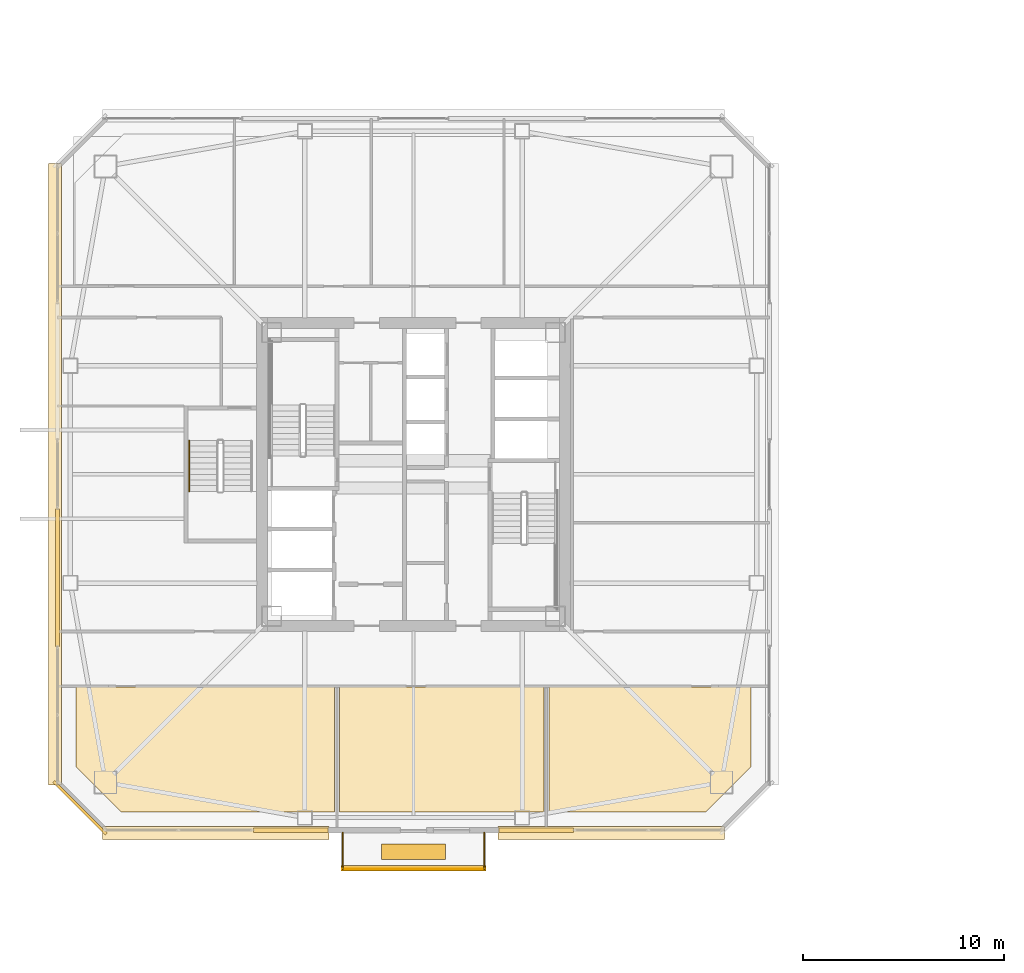
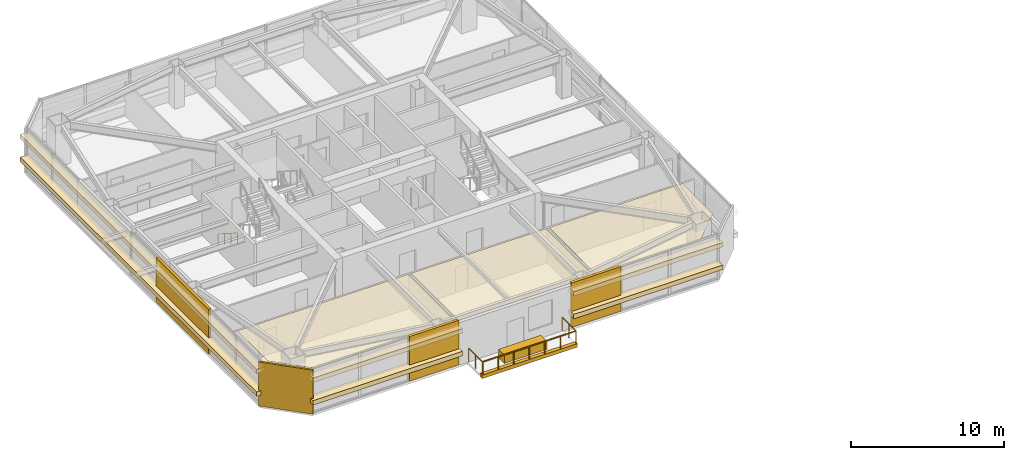
# One storey, part 39 of 44: 15 coverings, 4 railings.
"""IFC4 building model written with IfcOpenShell, lengths in metres."""

from ifc_helpers import new_model, si_unit, direction, frame, origin, origin_2d, place, context, subcontext, project, spatial, polyline, rectangle, outline, extrude, material, layer, layer_set, type_object, element, save


model = new_model("IFC4")

# Units and contexts
model_context = context("Model", 3, precision=1e-05, world=origin(), true_north=direction((0.0, 1.0)))
body_context = subcontext(model_context, "Body", "Model", "MODEL_VIEW")
ifc_project = project(units=[si_unit("LENGTHUNIT", "METRE"), si_unit("AREAUNIT", "SQUARE_METRE"), si_unit("VOLUMEUNIT", "CUBIC_METRE"), si_unit("PLANEANGLEUNIT", "RADIAN"), si_unit("MASSUNIT", "GRAM", prefix="KILO")], contexts=[model_context])

# Site, building, storey
site_placement = place(None, origin())
site = spatial("IfcSite", under=ifc_project, at=site_placement, CompositionType="ELEMENT")
building_placement = place(site_placement, origin())
building = spatial("IfcBuilding", under=site, at=building_placement, Name="Tashvorn Skyway Center", CompositionType="ELEMENT")
storey_placement = place(building_placement, frame((0.0, 0.0, 181.85009765625)))
storey = spatial("IfcBuildingStorey", under=building, at=storey_placement, Name="L49", CompositionType="ELEMENT", Elevation=181.85009765625)

# Coverings
ifc_material_1 = material(Name="Precast concrete C40/50", Category="concrete")
ifc_layer_1 = layer(ifc_material_1, 0.199951171875)
ifc_layer_set_1 = layer_set([ifc_layer_1], Name="Precast concrete C40/50")
covering_type_1 = type_object("IfcCoveringType", Name="COV-BRACE-CLAD", PredefinedType="CLADDING", material=ifc_layer_set_1)
for number, where, z_axis, x_axis, name in (
    (1, (48.10498046875, 14.320068359375, 0.0), (0.0, 0.0, 1.0), (-1.0, 0.0, 0.0), "Tower 1 L49 South Curtain Wall L Mega-Brace Cladding Band 1"),
    (2, (35.89501953125, 14.320068359375, 0.0), (0.0, 0.0, 1.0), (-1.0, 0.0, 0.0), "Tower 1 L49 South Curtain Wall R Mega-Brace Cladding Band 1"),
):
    element("IfcCovering", number, at=place(storey_placement, frame(where, z_axis=z_axis, x_axis=x_axis)), inside=storey, type_object=covering_type_1, Name=name, PredefinedType="CLADDING", context=body_context, shape_type="SweptSolid", body=[
        extrude(rectangle(XDim=3.7099609375, YDim=0.199951171875, at=origin_2d()), origin(), (0.0, 0.0, 1.0), 3.550048828125),
    ])
covering_1_placement = place(storey_placement, frame((24.320068359375, 26.873291015625, 0.0), z_axis=(0.0, 0.0, 1.0), x_axis=(0.0, 1.0, 0.0)))
element("IfcCovering", 3, at=covering_1_placement, inside=storey, type_object=covering_type_1, Name="Tower 1 L49 West Unitised Curtain Wall Mega-Brace Cladding Band 1", PredefinedType="CLADDING", context=body_context, shape_type="SweptSolid", body=[
    extrude(rectangle(XDim=6.83544921875, YDim=0.199951171875, at=origin_2d()), origin(), (0.0, 0.0, 1.0), 3.550048828125),
])
ifc_material_2 = material(Name="Mineral-fibre acoustic ceiling tile on suspended grid")
ifc_layer_2 = layer(ifc_material_2, 0.02001953125)
ifc_layer_set_2 = layer_set([ifc_layer_2], Name="Mineral-fibre acoustic ceiling tile on suspended grid")
covering_type_2 = type_object("IfcCoveringType", Name="COV-CEIL-20", PredefinedType="CEILING", material=ifc_layer_set_2)
covering_2_placement = place(storey_placement, frame((0.0, 0.0, 2.702880859375)))
element("IfcCovering", 4, at=covering_2_placement, inside=storey, type_object=covering_type_2, Name="Tower 1 L49 Conference Room Acoustic Ceiling", PredefinedType="CEILING", context=body_context, shape_type="SweptSolid", body=[
    extrude(outline(polyline([(25.219970703125, 21.43994140625), (38.080078125, 21.43994140625), (38.080078125, 15.219970703125), (27.47998046875, 15.219970703125), (25.219970703125, 17.47998046875), (25.219970703125, 21.43994140625)])), origin(), (0.0, 0.0, 1.0), 0.02001953125),
])
covering_3_placement = place(storey_placement, frame((0.0, 0.0, 2.702880859375)))
element("IfcCovering", 5, at=covering_3_placement, inside=storey, type_object=covering_type_2, Name="Tower 1 L49 Design Studio Acoustic Ceiling", PredefinedType="CEILING", context=body_context, shape_type="SweptSolid", body=[
    extrude(outline(polyline([(38.320068359375, 21.43994140625), (48.47998046875, 21.43994140625), (48.47998046875, 15.219970703125), (38.320068359375, 15.219970703125), (38.320068359375, 21.43994140625)])), origin(), (0.0, 0.0, 1.0), 0.02001953125),
])
covering_4_placement = place(storey_placement, frame((0.0, 0.0, 2.702880859375)))
element("IfcCovering", 6, at=covering_4_placement, inside=storey, type_object=covering_type_2, Name="Tower 1 L49 Design Studio Acoustic Ceiling", PredefinedType="CEILING", context=body_context, shape_type="SweptSolid", body=[
    extrude(outline(polyline([(48.719970703125, 15.219970703125), (48.719970703125, 21.43994140625), (58.780029296875, 21.43994140625), (58.780029296875, 17.47998046875), (56.52001953125, 15.219970703125), (48.719970703125, 15.219970703125)])), origin(), (0.0, 0.0, 1.0), 0.02001953125),
])
ifc_material_3 = material(Name="Perforated ceramic-coated bronze aluminium solar screen", Category="aluminium")
ifc_layer_3 = layer(ifc_material_3, 0.85009765625)
ifc_layer_set_3 = layer_set([ifc_layer_3], Name="Perforated ceramic-coated bronze aluminium solar screen")
covering_type_3 = type_object("IfcCoveringType", Name="COV-SOLAR-BAND", PredefinedType="CLADDING", material=ifc_layer_set_3)
for number, where, z_axis, x_axis, name in (
    (7, (51.81494140625, 14.179931640625, 0.919921875), (0.0, 0.0, 1.0), (-1.0, 0.0, 0.0), "L49 Perforated Ceramic-Metal Solar Screen Louvre Band South 1"),
    (8, (51.81494140625, 14.179931640625, 2.7197265625), (0.0, 0.0, 1.0), (-1.0, 0.0, 0.0), "L49 Perforated Ceramic-Metal Solar Screen Louvre Band South 2"),
    (9, (32.18505859375, 14.179931640625, 0.919921875), (0.0, 0.0, 1.0), (-1.0, 0.0, 0.0), "L49 Perforated Ceramic-Metal Solar Screen Louvre Band South 1"),
    (10, (32.18505859375, 14.179931640625, 2.7197265625), (0.0, 0.0, 1.0), (-1.0, 0.0, 0.0), "L49 Perforated Ceramic-Metal Solar Screen Louvre Band South 2"),
):
    element("IfcCovering", number, at=place(storey_placement, frame(where, z_axis=z_axis, x_axis=x_axis)), inside=storey, type_object=covering_type_3, Name=name, PredefinedType="CLADDING", context=body_context, shape_type="SweptSolid", body=[
        extrude(rectangle(XDim=11.25, YDim=0.639892578125, at=origin_2d()), origin(), (0.0, 0.0, 1.0), 0.360107421875),
    ])
for number, where, z_axis, x_axis, name in (
    (11, (24.179931640625, 32.0, 0.919921875), (0.0, 0.0, 1.0), (0.0, 1.0, 0.0), "L49 Perforated Ceramic-Metal Solar Screen Louvre Band West 1"),
    (12, (24.179931640625, 32.0, 2.7197265625), (0.0, 0.0, 1.0), (0.0, 1.0, 0.0), "L49 Perforated Ceramic-Metal Solar Screen Louvre Band West 2"),
):
    element("IfcCovering", number, at=place(storey_placement, frame(where, z_axis=z_axis, x_axis=x_axis)), inside=storey, type_object=covering_type_3, Name=name, PredefinedType="CLADDING", context=body_context, shape_type="SweptSolid", body=[
        extrude(rectangle(XDim=30.8798828125, YDim=0.639892578125, at=origin_2d()), origin(), (0.0, 0.0, 1.0), 0.360107421875),
    ])
ifc_layer_4 = layer(ifc_material_1, 0.35009765625)
ifc_layer_set_4 = layer_set([ifc_layer_4], Name="Precast concrete C40/50")
covering_type_4 = type_object("IfcCoveringType", Name="COV-STONE-TRIM", PredefinedType="CLADDING", material=ifc_layer_set_4)
covering_5_placement = place(storey_placement, frame((42.0, 12.43994140625, -0.16015625), z_axis=(0.0, 0.0, 1.0), x_axis=(-1.0, 0.0, 0.0)))
element("IfcCovering", 13, at=covering_5_placement, inside=storey, type_object=covering_type_4, Name="Tower 1 L49 Spiral Terrace Terracotta Fascia", PredefinedType="CLADDING", context=body_context, shape_type="SweptSolid", body=[
    extrude(rectangle(XDim=7.199951171875, YDim=0.280029296875, at=origin_2d()), origin(), (0.0, 0.0, 1.0), 0.280029296875),
])
covering_6_placement = place(storey_placement, frame((42.0, 13.25, 0.0), z_axis=(0.0, 0.0, 1.0), x_axis=(-1.0, 0.0, 0.0)))
element("IfcCovering", 14, at=covering_6_placement, inside=storey, type_object=covering_type_4, Name="Tower 1 L49 Spiral Terrace Planter", PredefinedType="CLADDING", context=body_context, shape_type="SweptSolid", body=[
    extrude(rectangle(XDim=3.199951171875, YDim=0.75, at=origin_2d()), origin(), (0.0, 0.0, 1.0), 0.679931640625),
])
covering_7_placement = place(storey_placement, frame((25.429931640625, 15.429931640625, 0.02001953125), z_axis=(0.0, 0.0, 1.0), x_axis=(-0.707106781187, 0.707106781187, 0.0)))
element("IfcCovering", 15, at=covering_7_placement, inside=storey, type_object=covering_type_4, Name="Tower 1 L49 SW Mojave Limestone Corner Quoin", PredefinedType="CLADDING", context=body_context, shape_type="SweptSolid", body=[
    extrude(rectangle(XDim=3.695556640625, YDim=0.139892578125, at=origin_2d()), origin(), (0.0, 0.0, 1.0), 3.510009765625),
])

# Railings
ifc_material_4 = material(Name="Galvanized steel S355", Category="steel")
railing_type_1 = type_object("IfcRailingType", Name="RAIL-GUARD-1120", PredefinedType="GUARDRAIL", material=ifc_material_4)
railing_1_placement = place(storey_placement, frame((38.47998046875, 14.199951171875, 0.0)))
element("IfcRailing", 16, at=railing_1_placement, inside=storey, type_object=railing_type_1, Name="L49 Tower 1 Terrace Guardrail 01", PredefinedType="GUARDRAIL", context=body_context, shape_type="SweptSolid", body=[
    extrude(rectangle(XDim=0.048095703125, YDim=0.048095703125, at=origin_2d()), frame((0.0, 0.0, 1.09619140625), z_axis=(0.0, -1.0, 0.0), x_axis=(1.0, 0.0, 0.0)), (0.0, 0.0, 1.0), 1.820068359375),
    extrude(rectangle(XDim=0.0419921875, YDim=0.0419921875, at=origin_2d()), origin(), (0.0, 0.0, 1.0), 1.072021484375),
    extrude(rectangle(XDim=0.0419921875, YDim=0.0419921875, at=origin_2d()), frame((0.0, -0.91015625, 0.0)), (0.0, 0.0, 1.0), 1.072021484375),
    extrude(rectangle(XDim=0.0419921875, YDim=0.0419921875, at=origin_2d()), frame((0.0, -1.820068359375, 0.0)), (0.0, 0.0, 1.0), 1.072021484375),
])
railing_2_placement = place(storey_placement, frame((38.47998046875, 12.3798828125, 0.0)))
element("IfcRailing", 17, at=railing_2_placement, inside=storey, type_object=railing_type_1, Name="L49 Tower 1 Terrace Guardrail 02", PredefinedType="GUARDRAIL", context=body_context, shape_type="SweptSolid", body=[
    extrude(rectangle(XDim=0.048095703125, YDim=0.048095703125, at=origin_2d()), frame((0.0, 0.0, 1.09619140625), z_axis=(1.0, 0.0, 0.0), x_axis=(0.0, 1.0, 0.0)), (0.0, 0.0, 1.0), 7.0400390625),
    extrude(rectangle(XDim=0.0419921875, YDim=0.0419921875, at=origin_2d()), origin(), (0.0, 0.0, 1.0), 1.072021484375),
    extrude(rectangle(XDim=0.0419921875, YDim=0.0419921875, at=origin_2d()), frame((1.17333984375, 0.0, 0.0)), (0.0, 0.0, 1.0), 1.072021484375),
    extrude(rectangle(XDim=0.0419921875, YDim=0.0419921875, at=origin_2d()), frame((2.3466796875, 0.0, 0.0)), (0.0, 0.0, 1.0), 1.072021484375),
    extrude(rectangle(XDim=0.0419921875, YDim=0.0419921875, at=origin_2d()), frame((3.52001953125, 0.0, 0.0)), (0.0, 0.0, 1.0), 1.072021484375),
    extrude(rectangle(XDim=0.0419921875, YDim=0.0419921875, at=origin_2d()), frame((4.693359375, 0.0, 0.0)), (0.0, 0.0, 1.0), 1.072021484375),
    extrude(rectangle(XDim=0.0419921875, YDim=0.0419921875, at=origin_2d()), frame((5.86669921875, 0.0, 0.0)), (0.0, 0.0, 1.0), 1.072021484375),
    extrude(rectangle(XDim=0.0419921875, YDim=0.0419921875, at=origin_2d()), frame((7.0400390625, 0.0, 0.0)), (0.0, 0.0, 1.0), 1.072021484375),
])
railing_3_placement = place(storey_placement, frame((45.52001953125, 12.3798828125, 0.0)))
element("IfcRailing", 18, at=railing_3_placement, inside=storey, type_object=railing_type_1, Name="L49 Tower 1 Terrace Guardrail 03", PredefinedType="GUARDRAIL", context=body_context, shape_type="SweptSolid", body=[
    extrude(rectangle(XDim=0.048095703125, YDim=0.048095703125, at=origin_2d()), frame((0.0, 0.0, 1.09619140625), z_axis=(0.0, 1.0, 0.0), x_axis=(-1.0, 0.0, 0.0)), (0.0, 0.0, 1.0), 1.820068359375),
    extrude(rectangle(XDim=0.0419921875, YDim=0.0419921875, at=origin_2d()), origin(), (0.0, 0.0, 1.0), 1.072021484375),
    extrude(rectangle(XDim=0.0419921875, YDim=0.0419921875, at=origin_2d()), frame((0.0, 0.91015625, 0.0)), (0.0, 0.0, 1.0), 1.072021484375),
    extrude(rectangle(XDim=0.0419921875, YDim=0.0419921875, at=origin_2d()), frame((0.0, 1.820068359375, 0.0)), (0.0, 0.0, 1.0), 1.072021484375),
])
ifc_material_5 = material(Name="Brushed stainless steel 316", Category="steel")
railing_type_2 = type_object("IfcRailingType", Name="RAIL-HAND-920", PredefinedType="HANDRAIL", material=ifc_material_5)
railing_4_placement = place(storey_placement, frame((30.85009765625, 33.679931640625, 0.177490234375)))
element("IfcRailing", 19, at=railing_4_placement, inside=storey, type_object=railing_type_2, Name="L49 ST-T1-3 stair handrail 1", PredefinedType="HANDRAIL", context=body_context, shape_type="SweptSolid", body=[
    extrude(rectangle(XDim=0.048095703125, YDim=0.048095703125, at=origin_2d()), frame((0.0, 0.0, 0.8759765625), z_axis=(0.0, -0.84460694969, 0.535386869969), x_axis=(1.0, 0.0, 0.0)), (0.0, 0.0, 1.0), 2.983642578125),
    extrude(rectangle(XDim=0.0419921875, YDim=0.0419921875, at=origin_2d()), origin(), (0.0, 0.0, 1.0), 0.851806640625),
    extrude(rectangle(XDim=0.0419921875, YDim=0.0419921875, at=origin_2d()), frame((0.0, -0.840087890625, 0.532470703125)), (0.0, 0.0, 1.0), 0.851806640625),
    extrude(rectangle(XDim=0.0419921875, YDim=0.0419921875, at=origin_2d()), frame((0.0, -1.679931640625, 1.06494140625)), (0.0, 0.0, 1.0), 0.851806640625),
    extrude(rectangle(XDim=0.0419921875, YDim=0.0419921875, at=origin_2d()), frame((0.0, -2.52001953125, 1.597412109375)), (0.0, 0.0, 1.0), 0.851806640625),
])

save(model, "model.ifc")
